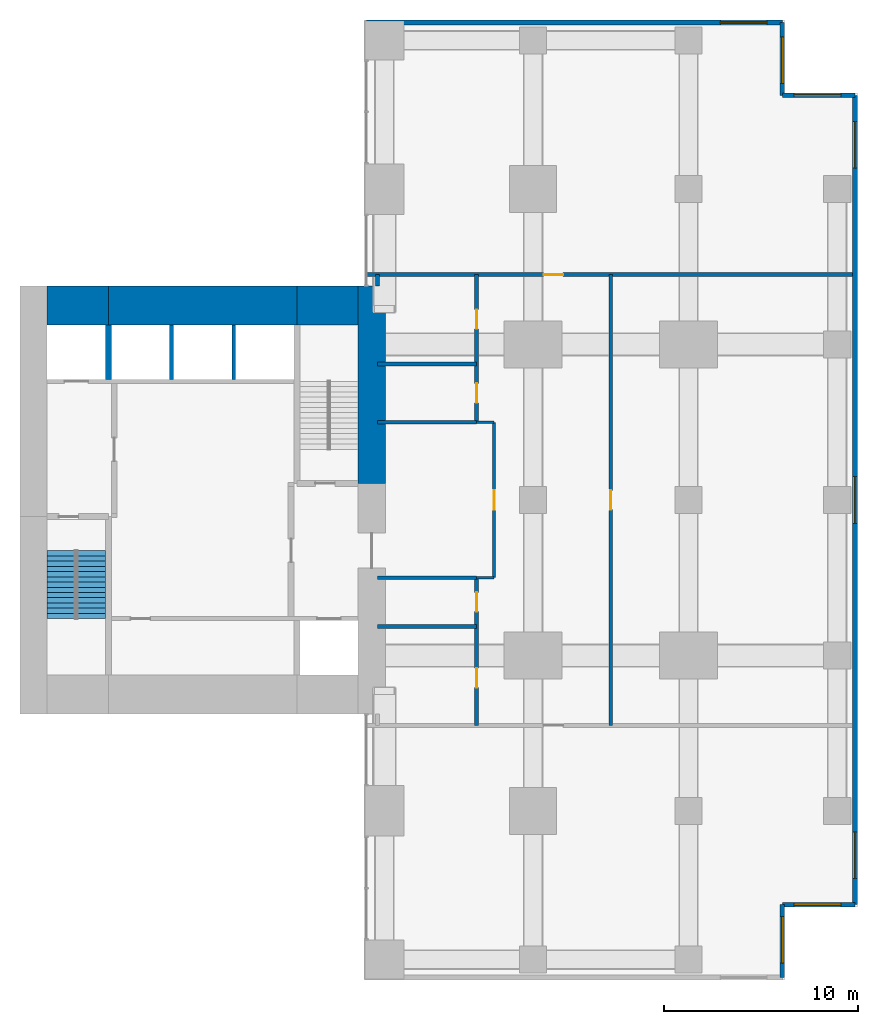
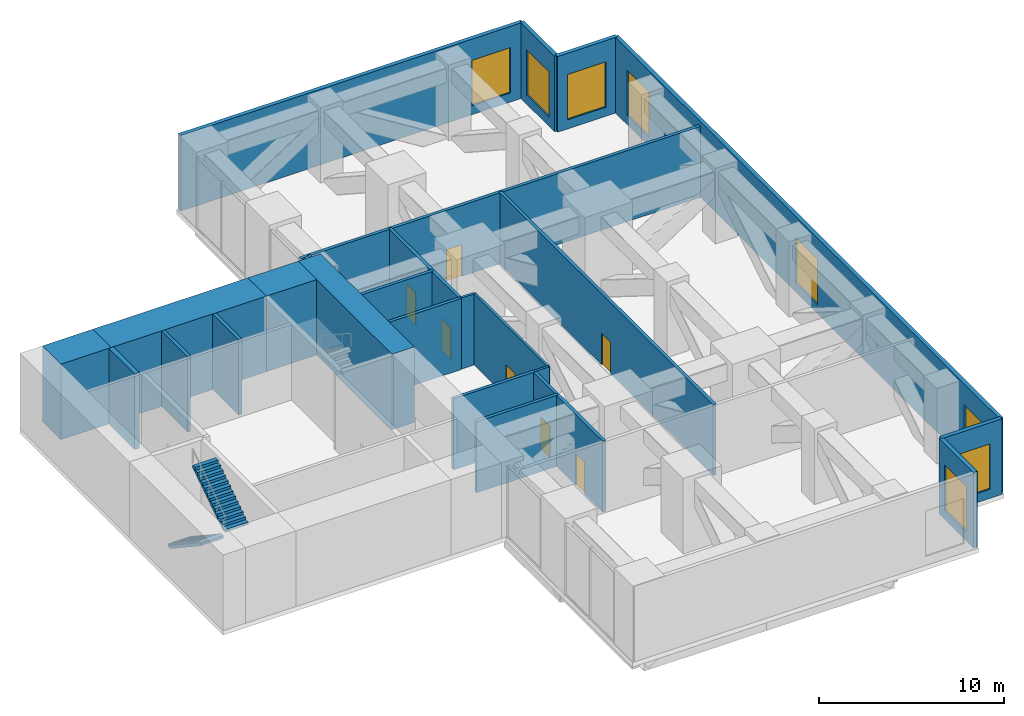
# One storey, part 5 of 7: 25 walls, 8 windows, 7 doors, 2 stair flights, 15 openings, 1 element without a shape of its own.
"""IFC4 building model written with IfcOpenShell, lengths in metres."""

from ifc_helpers import new_model, si_unit, direction, frame, frame_2d, origin, place, context, subcontext, project, spatial, polyline, rectangle, outline, extrude, material, layer, layer_set, type_object, element, fill, aggregate, save


model = new_model("IFC4")

# Units and contexts
model_context = context("Model", 3, precision=1e-05, world=origin(), true_north=direction((0.0, 1.0)))
body_context = subcontext(model_context, "Body", "Model", "MODEL_VIEW")
ifc_project = project(units=[si_unit("LENGTHUNIT", "METRE"), si_unit("AREAUNIT", "SQUARE_METRE"), si_unit("VOLUMEUNIT", "CUBIC_METRE"), si_unit("PLANEANGLEUNIT", "RADIAN"), si_unit("MASSUNIT", "GRAM", prefix="KILO")], contexts=[model_context])

# Site, building, storey
site_placement = place(None, origin())
site = spatial("IfcSite", under=ifc_project, at=site_placement, CompositionType="ELEMENT")
building_placement = place(site_placement, origin())
building = spatial("IfcBuilding", under=site, at=building_placement, Name="Cleftline Residences", CompositionType="ELEMENT")
storey_placement = place(building_placement, frame((0.0, 0.0, 291.60009765625)))
storey = spatial("IfcBuildingStorey", under=building, at=storey_placement, Name="L76", CompositionType="ELEMENT", Elevation=291.60009765625)

# Walls
ifc_material_1 = material(Name="Concrete B70", Category="concrete")
ifc_layer_1 = layer(ifc_material_1, 1.39990234375)
ifc_layer_set_1 = layer_set([ifc_layer_1], Name="CORE WALL 1400")
wall_type_1 = type_object("IfcWallType", Name="CORE WALL 1400", PredefinedType="SHEAR", material=ifc_layer_set_1)
wall_1_placement = place(storey_placement, frame((41.699951171875, 24.85009765625, 0.0), z_axis=(0.0, 0.0, 1.0), x_axis=(0.0, 1.0, 0.0)))
element("IfcWall", 1, at=wall_1_placement, inside=storey, type_object=wall_type_1, Name="Core wall E1", PredefinedType="SHEAR", context=body_context, shape_type="SweptSolid", body=[
    extrude(rectangle(XDim=10.14990234375, YDim=1.39990234375, at=frame_2d((5.074951171875, 0.0))), origin(), (0.0, 0.0, 1.0), 5.0),
])
ifc_material_2 = material(Name="Concrete B70", Category="concrete")
ifc_layer_2 = layer(ifc_material_2, 2.0)
ifc_layer_set_2 = layer_set([ifc_layer_2], Name="CORE WALL 2000")
wall_type_2 = type_object("IfcWallType", Name="CORE WALL 2000", PredefinedType="SHEAR", material=ifc_layer_set_2)
wall_2_placement = place(storey_placement, frame((25.0, 34.0, 0.0), z_axis=(0.0, 0.0, 1.0), x_axis=(1.0, 0.0, 0.0)))
element("IfcWall", 2, at=wall_2_placement, inside=storey, type_object=wall_type_2, Name="Core wall N1", PredefinedType="SHEAR", context=body_context, shape_type="SweptSolid", body=[
    extrude(rectangle(XDim=3.14990234375, YDim=2.0, at=frame_2d((1.574951171875, 0.0))), origin(), (0.0, 0.0, 1.0), 5.0),
])
wall_3_placement = place(storey_placement, frame((28.14990234375, 34.0, 0.0), z_axis=(0.0, 0.0, 1.0), x_axis=(1.0, 0.0, 0.0)))
element("IfcWall", 3, at=wall_3_placement, inside=storey, type_object=wall_type_2, Name="Core wall N2", PredefinedType="SHEAR", context=body_context, shape_type="SweptSolid", body=[
    extrude(rectangle(XDim=9.7001953125, YDim=2.0, at=frame_2d((4.85009765625, 0.0))), origin(), (0.0, 0.0, 1.0), 5.0),
])
wall_4_placement = place(storey_placement, frame((37.85009765625, 34.0, 0.0), z_axis=(0.0, 0.0, 1.0), x_axis=(1.0, 0.0, 0.0)))
element("IfcWall", 4, at=wall_4_placement, inside=storey, type_object=wall_type_2, Name="Core wall N3", PredefinedType="SHEAR", context=body_context, shape_type="SweptSolid", body=[
    extrude(rectangle(XDim=3.14990234375, YDim=2.0, at=frame_2d((1.574951171875, 0.0))), origin(), (0.0, 0.0, 1.0), 5.0),
])
ifc_material_3 = material(Name="Concrete B70", Category="concrete")
ifc_layer_3 = layer(ifc_material_3, 0.300048828125)
ifc_layer_set_3 = layer_set([ifc_layer_3], Name="CORE WALL 300")
wall_type_3 = type_object("IfcWallType", Name="CORE WALL 300", PredefinedType="SHEAR", material=ifc_layer_set_3)
wall_5_placement = place(storey_placement, frame((28.14990234375, 30.199951171875, 0.0), z_axis=(0.0, 0.0, 1.0), x_axis=(0.0, 1.0, 0.0)))
element("IfcWall", 5, at=wall_5_placement, inside=storey, type_object=wall_type_3, Name="Lift shaft wall", PredefinedType="SHEAR", context=body_context, shape_type="SweptSolid", body=[
    extrude(rectangle(XDim=2.800048828125, YDim=0.300048828125, at=frame_2d((1.39990234375, 0.0))), origin(), (0.0, 0.0, 1.0), 5.0),
])

# Wall, opening, window
ifc_material_4 = material(Name="Rendered reinforced concrete blockwork", Category="masonry")
ifc_layer_4 = layer(ifc_material_4, 0.25)
ifc_layer_set_4 = layer_set([ifc_layer_4], Name="EXTERNAL WALL 250")
wall_type_4 = type_object("IfcWallType", Name="EXTERNAL WALL 250", PredefinedType="SOLIDWALL", material=ifc_layer_set_4)
wall_6_placement = place(storey_placement, frame((62.824951171875, -0.574951171875, 0.0), z_axis=(0.0, 0.0, 1.0), x_axis=(0.0, 1.0, 0.0)))
wall_6 = element("IfcWall", 6, at=wall_6_placement, inside=storey, type_object=wall_type_4, Name="External wall", PredefinedType="SOLIDWALL", context=body_context, shape_type="SweptSolid", body=[
    extrude(rectangle(XDim=3.75, YDim=0.25, at=frame_2d((1.875, 0.0))), origin(), (0.0, 0.0, 1.0), 5.0),
])
opening_1_placement = place(wall_6_placement, frame((0.737548828125, 0.0, 0.60009765625)))
opening_1 = element("IfcOpeningElement", 7, at=opening_1_placement, cuts=wall_6, Name="Opening W3", PredefinedType="OPENING", context=body_context, shape_type="SweptSolid", body=[
    extrude(rectangle(XDim=2.39990234375, YDim=3.0, at=frame_2d((1.199951171875, 1.5))), frame((0.0, 0.135009765625, 0.0), z_axis=(0.0, -1.0, 0.0), x_axis=(1.0, 0.0, 0.0)), (0.0, 0.0, 1.0), 0.27001953125),
])
ifc_material_5 = material(Name="Aluminium frame, clear double glazing", Category="aluminium")
window_type = type_object("IfcWindowType", Name="WINDOW 2400X3000", PartitioningType="DOUBLE_PANEL_VERTICAL", PredefinedType="WINDOW", material=ifc_material_5)
window_1_placement = place(opening_1_placement, origin())
window_1 = element("IfcWindow", 8, at=window_1_placement, inside=storey, type_object=window_type, Name="Window", OverallHeight=3.0, OverallWidth=2.39990234375, PartitioningType="SINGLE_PANEL", PredefinedType="WINDOW", context=body_context, shape_type="SweptSolid", body=[
    extrude(rectangle(XDim=2.39990234375, YDim=3.0, at=frame_2d((1.199951171875, 1.5))), frame((0.0, 0.030029296875, 0.0), z_axis=(0.0, -1.0, 0.0), x_axis=(1.0, 0.0, 0.0)), (0.0, 0.0, 1.0), 0.06005859375),
])
fill(opening_1, window_1)

wall_7_placement = place(storey_placement, frame((62.824951171875, 3.175048828125, 0.0), z_axis=(0.0, 0.0, 1.0), x_axis=(1.0, 0.0, 0.0)))
wall_7 = element("IfcWall", 9, at=wall_7_placement, inside=storey, type_object=wall_type_4, Name="External wall", PredefinedType="SOLIDWALL", context=body_context, shape_type="SweptSolid", body=[
    extrude(rectangle(XDim=3.75, YDim=0.25, at=frame_2d((1.875, 0.0))), origin(), (0.0, 0.0, 1.0), 5.0),
])
opening_2_placement = place(wall_7_placement, frame((0.612548828125, 0.0, 0.60009765625)))
opening_2 = element("IfcOpeningElement", 10, at=opening_2_placement, cuts=wall_7, Name="Opening W3", PredefinedType="OPENING", context=body_context, shape_type="SweptSolid", body=[
    extrude(rectangle(XDim=2.39990234375, YDim=3.0, at=frame_2d((1.199951171875, 1.5))), frame((0.0, 0.135009765625, 0.0), z_axis=(0.0, -1.0, 0.0), x_axis=(1.0, 0.0, 0.0)), (0.0, 0.0, 1.0), 0.27001953125),
])
window_2_placement = place(opening_2_placement, origin())
window_2 = element("IfcWindow", 11, at=window_2_placement, inside=storey, type_object=window_type, Name="Window", OverallHeight=3.0, OverallWidth=2.39990234375, PartitioningType="SINGLE_PANEL", PredefinedType="WINDOW", context=body_context, shape_type="SweptSolid", body=[
    extrude(rectangle(XDim=2.39990234375, YDim=3.0, at=frame_2d((1.199951171875, 1.5))), frame((0.0, 0.030029296875, 0.0), z_axis=(0.0, -1.0, 0.0), x_axis=(1.0, 0.0, 0.0)), (0.0, 0.0, 1.0), 0.06005859375),
])
fill(opening_2, window_2)

# Wall, openings, windows
wall_8_placement = place(storey_placement, frame((66.574951171875, 3.175048828125, 0.0), z_axis=(0.0, 0.0, 1.0), x_axis=(0.0, 1.0, 0.0)))
wall_8 = element("IfcWall", 12, at=wall_8_placement, inside=storey, type_object=wall_type_4, Name="External wall", PredefinedType="SOLIDWALL", context=body_context, shape_type="SweptSolid", body=[
    extrude(rectangle(XDim=41.64990234375, YDim=0.25, at=frame_2d((20.824951171875, 0.0))), origin(), (0.0, 0.0, 1.0), 5.0),
])
opening_3_placement = place(wall_8_placement, frame((1.35009765625, 0.0, 0.60009765625)))
opening_3 = element("IfcOpeningElement", 13, at=opening_3_placement, cuts=wall_8, Name="Opening W3", PredefinedType="OPENING", context=body_context, shape_type="SweptSolid", body=[
    extrude(rectangle(XDim=2.39990234375, YDim=3.0, at=frame_2d((1.199951171875, 1.5))), frame((0.0, 0.135009765625, 0.0), z_axis=(0.0, -1.0, 0.0), x_axis=(1.0, 0.0, 0.0)), (0.0, 0.0, 1.0), 0.27001953125),
])
opening_4_placement = place(wall_8_placement, frame((19.625, 0.0, 0.60009765625)))
opening_4 = element("IfcOpeningElement", 14, at=opening_4_placement, cuts=wall_8, Name="Opening W3", PredefinedType="OPENING", context=body_context, shape_type="SweptSolid", body=[
    extrude(rectangle(XDim=2.39990234375, YDim=3.0, at=frame_2d((1.199951171875, 1.5))), frame((0.0, 0.135009765625, 0.0), z_axis=(0.0, -1.0, 0.0), x_axis=(1.0, 0.0, 0.0)), (0.0, 0.0, 1.0), 0.27001953125),
])
opening_5_placement = place(wall_8_placement, frame((37.89990234375, 0.0, 0.60009765625)))
opening_5 = element("IfcOpeningElement", 15, at=opening_5_placement, cuts=wall_8, Name="Opening W3", PredefinedType="OPENING", context=body_context, shape_type="SweptSolid", body=[
    extrude(rectangle(XDim=2.39990234375, YDim=3.0, at=frame_2d((1.199951171875, 1.5))), frame((0.0, 0.135009765625, 0.0), z_axis=(0.0, -1.0, 0.0), x_axis=(1.0, 0.0, 0.0)), (0.0, 0.0, 1.0), 0.27001953125),
])
window_3_placement = place(opening_3_placement, origin())
window_3 = element("IfcWindow", 16, at=window_3_placement, inside=storey, type_object=window_type, Name="Window", OverallHeight=3.0, OverallWidth=2.39990234375, PartitioningType="SINGLE_PANEL", PredefinedType="WINDOW", context=body_context, shape_type="SweptSolid", body=[
    extrude(rectangle(XDim=2.39990234375, YDim=3.0, at=frame_2d((1.199951171875, 1.5))), frame((0.0, 0.030029296875, 0.0), z_axis=(0.0, -1.0, 0.0), x_axis=(1.0, 0.0, 0.0)), (0.0, 0.0, 1.0), 0.06005859375),
])
fill(opening_3, window_3)
window_4_placement = place(opening_4_placement, origin())
window_4 = element("IfcWindow", 17, at=window_4_placement, inside=storey, type_object=window_type, Name="Window", OverallHeight=3.0, OverallWidth=2.39990234375, PartitioningType="SINGLE_PANEL", PredefinedType="WINDOW", context=body_context, shape_type="SweptSolid", body=[
    extrude(rectangle(XDim=2.39990234375, YDim=3.0, at=frame_2d((1.199951171875, 1.5))), frame((0.0, 0.030029296875, 0.0), z_axis=(0.0, -1.0, 0.0), x_axis=(1.0, 0.0, 0.0)), (0.0, 0.0, 1.0), 0.06005859375),
])
fill(opening_4, window_4)
window_5_placement = place(opening_5_placement, origin())
window_5 = element("IfcWindow", 18, at=window_5_placement, inside=storey, type_object=window_type, Name="Window", OverallHeight=3.0, OverallWidth=2.39990234375, PartitioningType="SINGLE_PANEL", PredefinedType="WINDOW", context=body_context, shape_type="SweptSolid", body=[
    extrude(rectangle(XDim=2.39990234375, YDim=3.0, at=frame_2d((1.199951171875, 1.5))), frame((0.0, 0.030029296875, 0.0), z_axis=(0.0, -1.0, 0.0), x_axis=(1.0, 0.0, 0.0)), (0.0, 0.0, 1.0), 0.06005859375),
])
fill(opening_5, window_5)

# Wall, opening, window
wall_9_placement = place(storey_placement, frame((66.574951171875, 44.824951171875, 0.0), z_axis=(0.0, 0.0, 1.0), x_axis=(-1.0, 0.0, 0.0)))
wall_9 = element("IfcWall", 19, at=wall_9_placement, inside=storey, type_object=wall_type_4, Name="External wall", PredefinedType="SOLIDWALL", context=body_context, shape_type="SweptSolid", body=[
    extrude(rectangle(XDim=3.75, YDim=0.25, at=frame_2d((1.875, 0.0))), origin(), (0.0, 0.0, 1.0), 5.0),
])
opening_6_placement = place(wall_9_placement, frame((0.737548828125, 0.0, 0.60009765625)))
opening_6 = element("IfcOpeningElement", 20, at=opening_6_placement, cuts=wall_9, Name="Opening W3", PredefinedType="OPENING", context=body_context, shape_type="SweptSolid", body=[
    extrude(rectangle(XDim=2.39990234375, YDim=3.0, at=frame_2d((1.199951171875, 1.5))), frame((0.0, 0.135009765625, 0.0), z_axis=(0.0, -1.0, 0.0), x_axis=(1.0, 0.0, 0.0)), (0.0, 0.0, 1.0), 0.27001953125),
])
window_6_placement = place(opening_6_placement, origin())
window_6 = element("IfcWindow", 21, at=window_6_placement, inside=storey, type_object=window_type, Name="Window", OverallHeight=3.0, OverallWidth=2.39990234375, PartitioningType="SINGLE_PANEL", PredefinedType="WINDOW", context=body_context, shape_type="SweptSolid", body=[
    extrude(rectangle(XDim=2.39990234375, YDim=3.0, at=frame_2d((1.199951171875, 1.5))), frame((0.0, 0.030029296875, 0.0), z_axis=(0.0, -1.0, 0.0), x_axis=(1.0, 0.0, 0.0)), (0.0, 0.0, 1.0), 0.06005859375),
])
fill(opening_6, window_6)

wall_10_placement = place(storey_placement, frame((62.824951171875, 44.824951171875, 0.0), z_axis=(0.0, 0.0, 1.0), x_axis=(0.0, 1.0, 0.0)))
wall_10 = element("IfcWall", 22, at=wall_10_placement, inside=storey, type_object=wall_type_4, Name="External wall", PredefinedType="SOLIDWALL", context=body_context, shape_type="SweptSolid", body=[
    extrude(rectangle(XDim=3.75, YDim=0.25, at=frame_2d((1.875, 0.0))), origin(), (0.0, 0.0, 1.0), 5.0),
])
opening_7_placement = place(wall_10_placement, frame((0.612548828125, 0.0, 0.60009765625)))
opening_7 = element("IfcOpeningElement", 23, at=opening_7_placement, cuts=wall_10, Name="Opening W3", PredefinedType="OPENING", context=body_context, shape_type="SweptSolid", body=[
    extrude(rectangle(XDim=2.39990234375, YDim=3.0, at=frame_2d((1.199951171875, 1.5))), frame((0.0, 0.135009765625, 0.0), z_axis=(0.0, -1.0, 0.0), x_axis=(1.0, 0.0, 0.0)), (0.0, 0.0, 1.0), 0.27001953125),
])
window_7_placement = place(opening_7_placement, origin())
window_7 = element("IfcWindow", 24, at=window_7_placement, inside=storey, type_object=window_type, Name="Window", OverallHeight=3.0, OverallWidth=2.39990234375, PartitioningType="SINGLE_PANEL", PredefinedType="WINDOW", context=body_context, shape_type="SweptSolid", body=[
    extrude(rectangle(XDim=2.39990234375, YDim=3.0, at=frame_2d((1.199951171875, 1.5))), frame((0.0, 0.030029296875, 0.0), z_axis=(0.0, -1.0, 0.0), x_axis=(1.0, 0.0, 0.0)), (0.0, 0.0, 1.0), 0.06005859375),
])
fill(opening_7, window_7)

wall_11_placement = place(storey_placement, frame((62.824951171875, 48.574951171875, 0.0), z_axis=(0.0, 0.0, 1.0), x_axis=(-1.0, 0.0, 0.0)))
wall_11 = element("IfcWall", 25, at=wall_11_placement, inside=storey, type_object=wall_type_4, Name="External wall", PredefinedType="SOLIDWALL", context=body_context, shape_type="SweptSolid", body=[
    extrude(rectangle(XDim=21.39990234375, YDim=0.25, at=frame_2d((10.699951171875, 0.0))), origin(), (0.0, 0.0, 1.0), 5.0),
])
opening_8_placement = place(wall_11_placement, frame((0.78759765625, 0.0, 0.60009765625)))
opening_8 = element("IfcOpeningElement", 26, at=opening_8_placement, cuts=wall_11, Name="Opening W3", PredefinedType="OPENING", context=body_context, shape_type="SweptSolid", body=[
    extrude(rectangle(XDim=2.39990234375, YDim=3.0, at=frame_2d((1.199951171875, 1.5))), frame((0.0, 0.135009765625, 0.0), z_axis=(0.0, -1.0, 0.0), x_axis=(1.0, 0.0, 0.0)), (0.0, 0.0, 1.0), 0.27001953125),
])
window_8_placement = place(opening_8_placement, origin())
window_8 = element("IfcWindow", 27, at=window_8_placement, inside=storey, type_object=window_type, Name="Window", OverallHeight=3.0, OverallWidth=2.39990234375, PartitioningType="SINGLE_PANEL", PredefinedType="WINDOW", context=body_context, shape_type="SweptSolid", body=[
    extrude(rectangle(XDim=2.39990234375, YDim=3.0, at=frame_2d((1.199951171875, 1.5))), frame((0.0, 0.030029296875, 0.0), z_axis=(0.0, -1.0, 0.0), x_axis=(1.0, 0.0, 0.0)), (0.0, 0.0, 1.0), 0.06005859375),
])
fill(opening_8, window_8)

# Walls
ifc_material_6 = material(Name="Concrete blockwork, fire rated", Category="masonry")
ifc_layer_5 = layer(ifc_material_6, 0.199951171875)
ifc_layer_set_5 = layer_set([ifc_layer_5], Name="FIRE WALL 200")
wall_type_5 = type_object("IfcWallType", Name="FIRE WALL 200", PredefinedType="PARTITIONING", material=ifc_layer_set_5)
for number, where, z_axis, x_axis, name in (
    (28, (42.0, 17.5, 0.0), (0.0, 0.0, 1.0), (1.0, 0.0, 0.0), "Fire separating wall"),
    (29, (42.0, 20.0, 0.0), (0.0, 0.0, 1.0), (1.0, 0.0, 0.0), "Fire separating wall"),
    (30, (42.0, 28.0, 0.0), (0.0, 0.0, 1.0), (1.0, 0.0, 0.0), "Fire separating wall"),
    (31, (42.0, 31.0, 0.0), (0.0, 0.0, 1.0), (1.0, 0.0, 0.0), "Fire separating wall"),
):
    element("IfcWall", number, at=place(storey_placement, frame(where, z_axis=z_axis, x_axis=x_axis)), inside=storey, type_object=wall_type_5, Name=name, PredefinedType="PARTITIONING", context=body_context, shape_type="SweptSolid", body=[
        extrude(rectangle(XDim=5.10009765625, YDim=0.199951171875, at=frame_2d((2.550048828125, 0.0))), origin(), (0.0, 0.0, 1.0), 4.699951171875),
    ])

# Wall, opening, door
wall_12_placement = place(storey_placement, frame((41.43896484375, 35.60009765625, 0.0), z_axis=(0.0, 0.0, 1.0), x_axis=(1.0, 0.0, 0.0)))
wall_12 = element("IfcWall", 32, at=wall_12_placement, inside=storey, type_object=wall_type_5, Name="Fire separating wall", PredefinedType="PARTITIONING", context=body_context, shape_type="SweptSolid", body=[
    extrude(rectangle(XDim=25.010986328125, YDim=0.199951171875, at=frame_2d((12.50537109375, 0.0))), origin(), (0.0, 0.0, 1.0), 4.699951171875),
])
opening_9_placement = place(wall_12_placement, frame((9.111083984375, 0.0, 0.0)))
opening_9 = element("IfcOpeningElement", 33, at=opening_9_placement, cuts=wall_12, Name="Opening D2F60", PredefinedType="OPENING", context=body_context, shape_type="SweptSolid", body=[
    extrude(rectangle(XDim=1.0, YDim=2.10009765625, at=frame_2d((0.5, 1.050048828125))), frame((0.0, 0.10986328125, 0.0), z_axis=(0.0, -1.0, 0.0), x_axis=(1.0, 0.0, 0.0)), (0.0, 0.0, 1.0), 0.219970703125),
])
ifc_material_7 = material(Name="Timber veneer on solid core", Category="wood")
door_type_1 = type_object("IfcDoorType", Name="DOOR 1000X2100 EI 60", OperationType="SINGLE_SWING_LEFT", PredefinedType="DOOR", material=ifc_material_7)
door_1_placement = place(opening_9_placement, origin())
door_1 = element("IfcDoor", 34, at=door_1_placement, inside=storey, type_object=door_type_1, Name="Door to water tank room", OperationType="SINGLE_SWING_RIGHT", OverallHeight=2.10009765625, OverallWidth=1.0, PredefinedType="DOOR", context=body_context, shape_type="SweptSolid", body=[
    extrude(rectangle(XDim=1.0, YDim=2.10009765625, at=frame_2d((0.5, 1.050048828125))), frame((0.0, 0.02490234375, 0.0), z_axis=(0.0, -1.0, 0.0), x_axis=(1.0, 0.0, 0.0)), (0.0, 0.0, 1.0), 0.050048828125),
])
fill(opening_9, door_1)

# Wall
wall_13_placement = place(storey_placement, frame((42.0, 35.0, 0.0), z_axis=(0.0, 0.0, 1.0), x_axis=(0.0, 1.0, 0.0)))
element("IfcWall", 35, at=wall_13_placement, inside=storey, type_object=wall_type_5, Name="Fire separating wall", PredefinedType="PARTITIONING", context=body_context, shape_type="SweptSolid", body=[
    extrude(rectangle(XDim=0.60009765625, YDim=0.199951171875, at=frame_2d((0.300048828125, 0.0))), origin(), (0.0, 0.0, 1.0), 4.699951171875),
])

# Wall, openings, doors
wall_14_placement = place(storey_placement, frame((47.10009765625, 12.39990234375, 0.0), z_axis=(0.0, 0.0, 1.0), x_axis=(0.0, 1.0, 0.0)))
wall_14 = element("IfcWall", 36, at=wall_14_placement, inside=storey, type_object=wall_type_5, Name="Fire separating wall", PredefinedType="PARTITIONING", context=body_context, shape_type="SweptSolid", body=[
    extrude(rectangle(XDim=7.60009765625, YDim=0.199951171875, at=frame_2d((3.800048828125, 0.0))), origin(), (0.0, 0.0, 1.0), 4.699951171875),
])
opening_10_placement = place(wall_14_placement, frame((1.949951171875, 0.0, 0.0)))
opening_10 = element("IfcOpeningElement", 37, at=opening_10_placement, cuts=wall_14, Name="Opening D2F60", PredefinedType="OPENING", context=body_context, shape_type="SweptSolid", body=[
    extrude(rectangle(XDim=1.0, YDim=2.10009765625, at=frame_2d((0.5, 1.050048828125))), frame((0.0, 0.10986328125, 0.0), z_axis=(0.0, -1.0, 0.0), x_axis=(1.0, 0.0, 0.0)), (0.0, 0.0, 1.0), 0.219970703125),
])
opening_11_placement = place(wall_14_placement, frame((5.85009765625, 0.0, 0.0)))
opening_11 = element("IfcOpeningElement", 38, at=opening_11_placement, cuts=wall_14, Name="Opening D2F60", PredefinedType="OPENING", context=body_context, shape_type="SweptSolid", body=[
    extrude(rectangle(XDim=1.0, YDim=2.10009765625, at=frame_2d((0.5, 1.050048828125))), frame((0.0, 0.10986328125, 0.0), z_axis=(0.0, -1.0, 0.0), x_axis=(1.0, 0.0, 0.0)), (0.0, 0.0, 1.0), 0.219970703125),
])
door_2_placement = place(opening_10_placement, origin())
door_2 = element("IfcDoor", 39, at=door_2_placement, inside=storey, type_object=door_type_1, Name="Door to electrical room", OperationType="SINGLE_SWING_RIGHT", OverallHeight=2.10009765625, OverallWidth=1.0, PredefinedType="DOOR", context=body_context, shape_type="SweptSolid", body=[
    extrude(rectangle(XDim=1.0, YDim=2.10009765625, at=frame_2d((0.5, 1.050048828125))), frame((0.0, 0.02490234375, 0.0), z_axis=(0.0, -1.0, 0.0), x_axis=(1.0, 0.0, 0.0)), (0.0, 0.0, 1.0), 0.050048828125),
])
fill(opening_10, door_2)
door_3_placement = place(opening_11_placement, origin())
door_3 = element("IfcDoor", 40, at=door_3_placement, inside=storey, type_object=door_type_1, Name="Door to fire pump room", OperationType="SINGLE_SWING_LEFT", OverallHeight=2.10009765625, OverallWidth=1.0, PredefinedType="DOOR", context=body_context, shape_type="SweptSolid", body=[
    extrude(rectangle(XDim=1.0, YDim=2.10009765625, at=frame_2d((0.5, 1.050048828125))), frame((0.0, 0.02490234375, 0.0), z_axis=(0.0, -1.0, 0.0), x_axis=(1.0, 0.0, 0.0)), (0.0, 0.0, 1.0), 0.050048828125),
])
fill(opening_11, door_3)

wall_15_placement = place(storey_placement, frame((47.10009765625, 28.0, 0.0), z_axis=(0.0, 0.0, 1.0), x_axis=(0.0, 1.0, 0.0)))
wall_15 = element("IfcWall", 41, at=wall_15_placement, inside=storey, type_object=wall_type_5, Name="Fire separating wall", PredefinedType="PARTITIONING", context=body_context, shape_type="SweptSolid", body=[
    extrude(rectangle(XDim=7.60009765625, YDim=0.199951171875, at=frame_2d((3.800048828125, 0.0))), origin(), (0.0, 0.0, 1.0), 4.699951171875),
])
opening_12_placement = place(wall_15_placement, frame((1.0, 0.0, 0.0)))
opening_12 = element("IfcOpeningElement", 42, at=opening_12_placement, cuts=wall_15, Name="Opening D2F60", PredefinedType="OPENING", context=body_context, shape_type="SweptSolid", body=[
    extrude(rectangle(XDim=1.0, YDim=2.10009765625, at=frame_2d((0.5, 1.050048828125))), frame((0.0, 0.10986328125, 0.0), z_axis=(0.0, -1.0, 0.0), x_axis=(1.0, 0.0, 0.0)), (0.0, 0.0, 1.0), 0.219970703125),
])
opening_13_placement = place(wall_15_placement, frame((4.800048828125, 0.0, 0.0)))
opening_13 = element("IfcOpeningElement", 43, at=opening_13_placement, cuts=wall_15, Name="Opening D2F60", PredefinedType="OPENING", context=body_context, shape_type="SweptSolid", body=[
    extrude(rectangle(XDim=1.0, YDim=2.10009765625, at=frame_2d((0.5, 1.050048828125))), frame((0.0, 0.10986328125, 0.0), z_axis=(0.0, -1.0, 0.0), x_axis=(1.0, 0.0, 0.0)), (0.0, 0.0, 1.0), 0.219970703125),
])
door_4_placement = place(opening_12_placement, origin())
door_4 = element("IfcDoor", 44, at=door_4_placement, inside=storey, type_object=door_type_1, Name="Door to water tank room", OperationType="SINGLE_SWING_RIGHT", OverallHeight=2.10009765625, OverallWidth=1.0, PredefinedType="DOOR", context=body_context, shape_type="SweptSolid", body=[
    extrude(rectangle(XDim=1.0, YDim=2.10009765625, at=frame_2d((0.5, 1.050048828125))), frame((0.0, 0.02490234375, 0.0), z_axis=(0.0, -1.0, 0.0), x_axis=(1.0, 0.0, 0.0)), (0.0, 0.0, 1.0), 0.050048828125),
])
fill(opening_12, door_4)
door_5_placement = place(opening_13_placement, origin())
door_5 = element("IfcDoor", 45, at=door_5_placement, inside=storey, type_object=door_type_1, Name="Door to communications room", OperationType="SINGLE_SWING_LEFT", OverallHeight=2.10009765625, OverallWidth=1.0, PredefinedType="DOOR", context=body_context, shape_type="SweptSolid", body=[
    extrude(rectangle(XDim=1.0, YDim=2.10009765625, at=frame_2d((0.5, 1.050048828125))), frame((0.0, 0.02490234375, 0.0), z_axis=(0.0, -1.0, 0.0), x_axis=(1.0, 0.0, 0.0)), (0.0, 0.0, 1.0), 0.050048828125),
])
fill(opening_13, door_5)

# Wall, opening, door
wall_16_placement = place(storey_placement, frame((54.0, 12.39990234375, 0.0), z_axis=(0.0, 0.0, 1.0), x_axis=(0.0, 1.0, 0.0)))
wall_16 = element("IfcWall", 46, at=wall_16_placement, inside=storey, type_object=wall_type_5, Name="Fire separating wall", PredefinedType="PARTITIONING", context=body_context, shape_type="SweptSolid", body=[
    extrude(rectangle(XDim=23.2001953125, YDim=0.199951171875, at=frame_2d((11.60009765625, 0.0))), origin(), (0.0, 0.0, 1.0), 4.699951171875),
])
opening_14_placement = place(wall_16_placement, frame((11.10009765625, 0.0, 0.0)))
opening_14 = element("IfcOpeningElement", 47, at=opening_14_placement, cuts=wall_16, Name="Opening D2F60", PredefinedType="OPENING", context=body_context, shape_type="SweptSolid", body=[
    extrude(rectangle(XDim=1.0, YDim=2.10009765625, at=frame_2d((0.5, 1.050048828125))), frame((0.0, 0.10986328125, 0.0), z_axis=(0.0, -1.0, 0.0), x_axis=(1.0, 0.0, 0.0)), (0.0, 0.0, 1.0), 0.219970703125),
])
door_6_placement = place(opening_14_placement, origin())
door_6 = element("IfcDoor", 48, at=door_6_placement, inside=storey, type_object=door_type_1, Name="Door to pump room", OperationType="SINGLE_SWING_LEFT", OverallHeight=2.10009765625, OverallWidth=1.0, PredefinedType="DOOR", context=body_context, shape_type="SweptSolid", body=[
    extrude(rectangle(XDim=1.0, YDim=2.10009765625, at=frame_2d((0.5, 1.050048828125))), frame((0.0, 0.02490234375, 0.0), z_axis=(0.0, -1.0, 0.0), x_axis=(1.0, 0.0, 0.0)), (0.0, 0.0, 1.0), 0.050048828125),
])
fill(opening_14, door_6)

# Walls
ifc_material_8 = material(Name="Gypsum board on steel studs", Category="steel")
ifc_layer_6 = layer(ifc_material_8, 0.14990234375)
ifc_layer_set_6 = layer_set([ifc_layer_6], Name="PARTITION 150")
wall_type_6 = type_object("IfcWallType", Name="PARTITION 150", PredefinedType="PARTITIONING", material=ifc_layer_set_6)
for number, where, z_axis, x_axis, name in (
    (49, (47.10009765625, 20.0, 0.0), (0.0, 0.0, 1.0), (1.0, 0.0, 0.0), "Partition"),
    (50, (47.10009765625, 28.0, 0.0), (0.0, 0.0, 1.0), (1.0, 0.0, 0.0), "Partition"),
):
    element("IfcWall", number, at=place(storey_placement, frame(where, z_axis=z_axis, x_axis=x_axis)), inside=storey, type_object=wall_type_6, Name=name, PredefinedType="PARTITIONING", context=body_context, shape_type="SweptSolid", body=[
        extrude(rectangle(XDim=0.89990234375, YDim=0.14990234375, at=frame_2d((0.449951171875, 0.0))), origin(), (0.0, 0.0, 1.0), 4.699951171875),
    ])

# Wall, opening, door
wall_17_placement = place(storey_placement, frame((48.0, 20.0, 0.0), z_axis=(0.0, 0.0, 1.0), x_axis=(0.0, 1.0, 0.0)))
wall_17 = element("IfcWall", 51, at=wall_17_placement, inside=storey, type_object=wall_type_6, Name="Partition", PredefinedType="PARTITIONING", context=body_context, shape_type="SweptSolid", body=[
    extrude(rectangle(XDim=8.0, YDim=0.14990234375, at=frame_2d((4.0, 0.0))), origin(), (0.0, 0.0, 1.0), 4.699951171875),
])
opening_15_placement = place(wall_17_placement, frame((3.5, 0.0, 0.0)))
opening_15 = element("IfcOpeningElement", 52, at=opening_15_placement, cuts=wall_17, Name="Opening D2F30", PredefinedType="OPENING", context=body_context, shape_type="SweptSolid", body=[
    extrude(rectangle(XDim=1.0, YDim=2.10009765625, at=frame_2d((0.5, 1.050048828125))), frame((0.0, 0.0849609375, 0.0), z_axis=(0.0, -1.0, 0.0), x_axis=(1.0, 0.0, 0.0)), (0.0, 0.0, 1.0), 0.169921875),
])
ifc_material_9 = material(Name="Timber veneer on solid core", Category="wood")
door_type_2 = type_object("IfcDoorType", Name="DOOR 1000X2100 EI 30", OperationType="SINGLE_SWING_LEFT", PredefinedType="DOOR", material=ifc_material_9)
door_7_placement = place(opening_15_placement, origin())
door_7 = element("IfcDoor", 53, at=door_7_placement, inside=storey, type_object=door_type_2, Name="Door to corridor", OperationType="SINGLE_SWING_LEFT", OverallHeight=2.10009765625, OverallWidth=1.0, PredefinedType="DOOR", context=body_context, shape_type="SweptSolid", body=[
    extrude(rectangle(XDim=1.0, YDim=2.10009765625, at=frame_2d((0.5, 1.050048828125))), frame((0.0, 0.02490234375, 0.0), z_axis=(0.0, -1.0, 0.0), x_axis=(1.0, 0.0, 0.0)), (0.0, 0.0, 1.0), 0.050048828125),
])
fill(opening_15, door_7)

# Walls
ifc_material_10 = material(Name="Concrete blockwork, fire rated", Category="masonry")
ifc_layer_7 = layer(ifc_material_10, 0.199951171875)
ifc_layer_set_7 = layer_set([ifc_layer_7], Name="SHAFT WALL 200")
wall_type_7 = type_object("IfcWallType", Name="SHAFT WALL 200", PredefinedType="PARTITIONING", material=ifc_layer_set_7)
for number, where, z_axis, x_axis, name in (
    (54, (31.39990234375, 30.199951171875, 0.0), (0.0, 0.0, 1.0), (0.0, 1.0, 0.0), "Lift shaft wall"),
    (55, (34.60009765625, 30.199951171875, 0.0), (0.0, 0.0, 1.0), (0.0, 1.0, 0.0), "Lift shaft wall"),
):
    element("IfcWall", number, at=place(storey_placement, frame(where, z_axis=z_axis, x_axis=x_axis)), inside=storey, type_object=wall_type_7, Name=name, PredefinedType="PARTITIONING", context=body_context, shape_type="SweptSolid", body=[
        extrude(rectangle(XDim=2.800048828125, YDim=0.199951171875, at=frame_2d((1.39990234375, 0.0))), origin(), (0.0, 0.0, 1.0), 5.0),
    ])

# Stair, stair flights
ifc_material_11 = material(Name="Concrete B45, stone treads", Category="masonry")
stair_type = type_object("IfcStairType", Name="STAIR A 1450 WIDE 179 RISER", PredefinedType="HALF_TURN_STAIR", material=ifc_material_11)
stair_placement = place(storey_placement, origin())
stair = element("IfcStair", 56, at=stair_placement, inside=storey, type_object=stair_type, Name="Stair A L76", PredefinedType="HALF_TURN_STAIR")
ifc_material_12 = material(Name="Concrete B45", Category="concrete")
stair_flight_type = type_object("IfcStairFlightType", Name="STAIR A FLIGHT 1450X179", PredefinedType="STRAIGHT", material=ifc_material_12)
stair_flight_1_placement = place(storey_placement, frame((25.72509765625, 21.39990234375, 0.0), z_axis=(0.0, 0.0, 1.0), x_axis=(0.0, -1.0, 0.0)))
stair_flight_1 = element("IfcStairFlight", 57, at=stair_flight_1_placement, type_object=stair_flight_type, Name="ST-A flight 1", NumberOfRisers=14, NumberOfTreads=13, PredefinedType="STRAIGHT", RiserHeight=0.178571429, TreadLength=0.27, context=body_context, shape_type="SweptSolid", body=[
    extrude(outline(polyline([(0.0, 0.0), (0.0, 0.013671875), (0.0, 0.027587890625), (0.0, 0.041259765625), (0.0, 0.054931640625), (0.0, 0.068603515625), (0.0, 0.08251953125), (0.0, 0.09619140625), (0.0, 0.10986328125), (0.0, 0.12353515625), (0.0, 0.137451171875), (0.0, 0.151123046875), (0.0, 0.164794921875), (0.0, 0.178466796875), (0.27001953125, 0.178466796875), (0.27001953125, 0.357177734375), (0.5400390625, 0.357177734375), (0.5400390625, 0.53564453125), (0.81005859375, 0.53564453125), (0.81005859375, 0.71435546875), (1.080078125, 0.71435546875), (1.080078125, 0.892822265625), (1.35009765625, 0.892822265625), (1.35009765625, 1.071533203125), (1.6201171875, 1.071533203125), (1.6201171875, 1.25), (1.889892578125, 1.25), (1.889892578125, 1.428466796875), (2.159912109375, 1.428466796875), (2.159912109375, 1.607177734375), (2.429931640625, 1.607177734375), (2.429931640625, 1.78564453125), (2.699951171875, 1.78564453125), (2.699951171875, 1.96435546875), (2.969970703125, 1.96435546875), (2.969970703125, 2.142822265625), (3.239990234375, 2.142822265625), (3.239990234375, 2.321533203125), (3.510009765625, 2.321533203125), (3.510009765625, 2.5), (3.510009765625, 2.472412109375), (3.510009765625, 2.44482421875), (3.510009765625, 2.417236328125), (3.510009765625, 2.3896484375), (3.510009765625, 2.3623046875), (3.510009765625, 2.334716796875), (3.510009765625, 2.30712890625), (3.510009765625, 2.279541015625), (3.510009765625, 2.251953125), (3.510009765625, 2.224365234375), (3.510009765625, 2.19677734375), (3.510009765625, 2.169189453125), (3.510009765625, 2.1416015625), (0.271728515625, 0.0), (0.0, 0.0)])), frame((0.0, 0.72509765625, 0.0), z_axis=(0.0, -1.0, 0.0), x_axis=(1.0, 0.0, 0.0)), (0.0, 0.0, 1.0), 1.449951171875),
])
stair_flight_2_placement = place(storey_placement, frame((27.27490234375, 17.889892578125, 2.5), z_axis=(0.0, 0.0, 1.0), x_axis=(0.0, 1.0, 0.0)))
stair_flight_2 = element("IfcStairFlight", 58, at=stair_flight_2_placement, type_object=stair_flight_type, Name="ST-A flight 2", NumberOfRisers=14, NumberOfTreads=13, PredefinedType="STRAIGHT", RiserHeight=0.178571429, TreadLength=0.27, context=body_context, shape_type="SweptSolid", body=[
    extrude(outline(polyline([(0.0, 0.0), (0.0, 0.013671875), (0.0, 0.027587890625), (0.0, 0.041259765625), (0.0, 0.054931640625), (0.0, 0.068603515625), (0.0, 0.08251953125), (0.0, 0.09619140625), (0.0, 0.10986328125), (0.0, 0.12353515625), (0.0, 0.137451171875), (0.0, 0.151123046875), (0.0, 0.164794921875), (0.0, 0.178466796875), (0.27001953125, 0.178466796875), (0.27001953125, 0.357177734375), (0.5400390625, 0.357177734375), (0.5400390625, 0.53564453125), (0.81005859375, 0.53564453125), (0.81005859375, 0.71435546875), (1.080078125, 0.71435546875), (1.080078125, 0.892822265625), (1.35009765625, 0.892822265625), (1.35009765625, 1.071533203125), (1.6201171875, 1.071533203125), (1.6201171875, 1.25), (1.889892578125, 1.25), (1.889892578125, 1.428466796875), (2.159912109375, 1.428466796875), (2.159912109375, 1.607177734375), (2.429931640625, 1.607177734375), (2.429931640625, 1.78564453125), (2.699951171875, 1.78564453125), (2.699951171875, 1.96435546875), (2.969970703125, 1.96435546875), (2.969970703125, 2.142822265625), (3.239990234375, 2.142822265625), (3.239990234375, 2.321533203125), (3.510009765625, 2.321533203125), (3.510009765625, 2.5), (3.510009765625, 2.472412109375), (3.510009765625, 2.44482421875), (3.510009765625, 2.417236328125), (3.510009765625, 2.3896484375), (3.510009765625, 2.3623046875), (3.510009765625, 2.334716796875), (3.510009765625, 2.30712890625), (3.510009765625, 2.279541015625), (3.510009765625, 2.251953125), (3.510009765625, 2.224365234375), (3.510009765625, 2.19677734375), (3.510009765625, 2.169189453125), (3.510009765625, 2.1416015625), (0.271728515625, 0.0), (0.0, 0.0)])), frame((0.0, 0.72509765625, 0.0), z_axis=(0.0, -1.0, 0.0), x_axis=(1.0, 0.0, 0.0)), (0.0, 0.0, 1.0), 1.449951171875),
])
aggregate(stair, [stair_flight_1, stair_flight_2])

save(model, "model.ifc")
